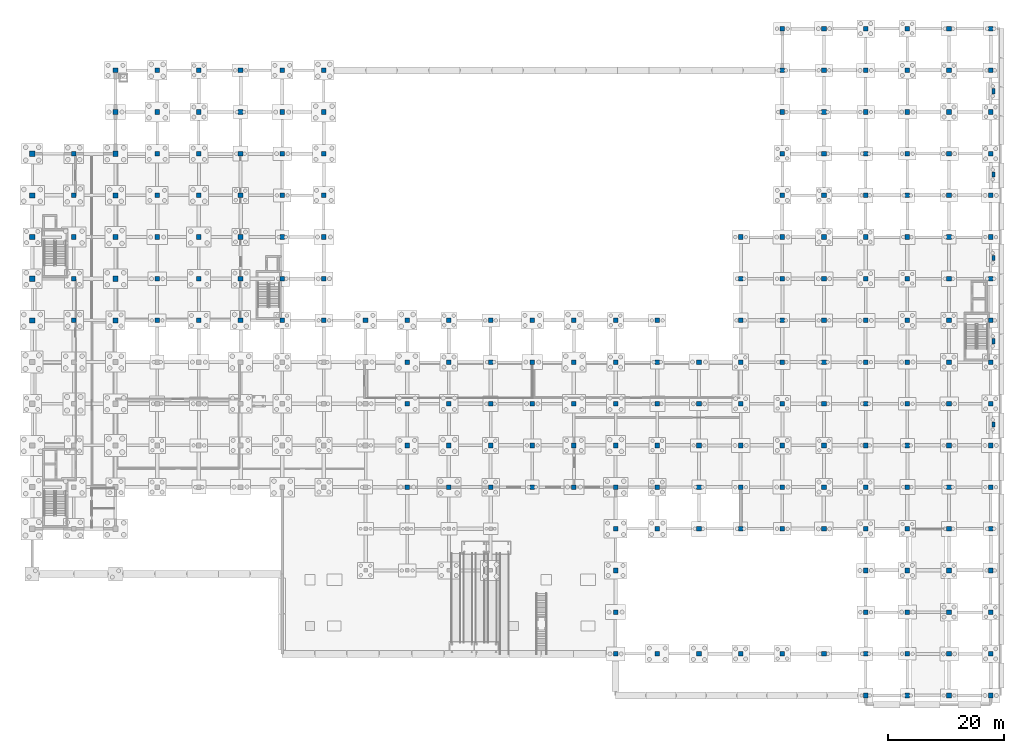
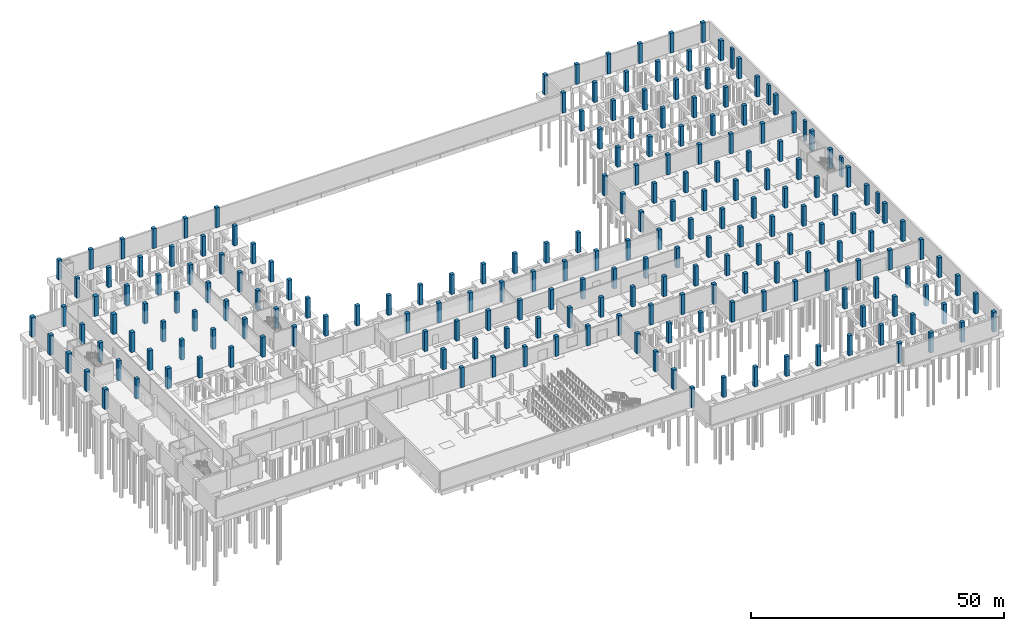
# One storey, part 20 of 38: 210 columns.
"""IFC4 building model written with IfcOpenShell, lengths in metres."""

from ifc_helpers import new_model, si_unit, direction, frame, origin, origin_2d, place, context, subcontext, project, spatial, rectangle, extrude, material, material_profile, profile_set, type_object, element, save


model = new_model("IFC4")

# Units and contexts
model_context = context("Model", 3, precision=1e-05, world=origin(), true_north=direction((0.0, 1.0)))
body_context = subcontext(model_context, "Body", "Model", "MODEL_VIEW")
ifc_project = project(units=[si_unit("LENGTHUNIT", "METRE"), si_unit("AREAUNIT", "SQUARE_METRE"), si_unit("VOLUMEUNIT", "CUBIC_METRE"), si_unit("PLANEANGLEUNIT", "RADIAN"), si_unit("MASSUNIT", "GRAM", prefix="KILO")], contexts=[model_context])

# Site, building, storey
site_placement = place(None, origin())
site = spatial("IfcSite", under=ifc_project, at=site_placement, CompositionType="ELEMENT")
building_placement = place(site_placement, origin())
building = spatial("IfcBuilding", under=site, at=building_placement, Name="Valkovuoma Quantum and Materials Research Institute", CompositionType="ELEMENT")
storey_placement = place(building_placement, frame((0.0, 0.0, -4.800048828125)))
storey = spatial("IfcBuildingStorey", under=building, at=storey_placement, Name="B1", CompositionType="ELEMENT", Elevation=-4.800048828125)

# Columns
ifc_material_1 = material(Name="Concrete C40/50", Category="concrete")
ifc_material_profile_1 = material_profile(ifc_material_1, rectangle(XDim=0.5, YDim=0.89990234375, at=origin_2d()), Name="Concrete C40/50")
ifc_profile_set_1 = profile_set([ifc_material_profile_1], Name="Concrete C40/50")
column_type_1 = type_object("IfcColumnType", Name="Col-C-PIL900", PredefinedType="PILASTER", material=ifc_profile_set_1)
for number, where, z_axis, x_axis, name in (
    (1, (166.080078125, 46.800048828125, 0.0), (0.0, 0.0, 1.0), (1.0, 0.0, 0.0), "B1 service spine pilaster 01"),
    (2, (166.080078125, 61.199951171875, 0.0), (0.0, 0.0, 1.0), (1.0, 0.0, 0.0), "B1 service spine pilaster 02"),
    (3, (166.080078125, 75.60009765625, 0.0), (0.0, 0.0, 1.0), (1.0, 0.0, 0.0), "B1 service spine pilaster 03"),
    (4, (166.080078125, 90.0, 0.0), (0.0, 0.0, 1.0), (1.0, 0.0, 0.0), "B1 service spine pilaster 04"),
    (5, (166.080078125, 104.39990234375, 0.0), (0.0, 0.0, 1.0), (1.0, 0.0, 0.0), "B1 service spine pilaster 05"),
):
    element("IfcColumn", number, at=place(storey_placement, frame(where, z_axis=z_axis, x_axis=x_axis)), inside=storey, type_object=column_type_1, Name=name, PredefinedType="PILASTER", context=body_context, shape_type="SweptSolid", body=[
        extrude(rectangle(XDim=0.5, YDim=0.89990234375, at=origin_2d()), origin(), (0.0, 0.0, 1.0), 4.800048828125),
    ])
ifc_material_2 = material(Name="Concrete C50/60", Category="concrete")
ifc_material_profile_2 = material_profile(ifc_material_2, rectangle(XDim=0.800048828125, YDim=0.800048828125, at=origin_2d()), Name="Concrete C50/60")
ifc_profile_set_2 = profile_set([ifc_material_profile_2], Name="Concrete C50/60")
column_type_2 = type_object("IfcColumnType", Name="Col-C-RC800", PredefinedType="COLUMN", material=ifc_profile_set_2)
for number, where, z_axis, x_axis, name in (
    (6, (7.199951171875, 64.800048828125, 0.0), (0.0, 0.0, 1.0), (1.0, 0.0, 0.0), "B1 column 02K"),
    (7, (7.199951171875, 72.0, 0.0), (0.0, 0.0, 1.0), (1.0, 0.0, 0.0), "B1 column 02L"),
    (8, (7.199951171875, 79.199951171875, 0.0), (0.0, 0.0, 1.0), (1.0, 0.0, 0.0), "B1 column 02M"),
    (9, (7.199951171875, 86.39990234375, 0.0), (0.0, 0.0, 1.0), (1.0, 0.0, 0.0), "B1 column 02N"),
    (10, (7.199951171875, 93.60009765625, 0.0), (0.0, 0.0, 1.0), (1.0, 0.0, 0.0), "B1 column 02P"),
    (11, (14.39990234375, 100.800048828125, 0.0), (0.0, 0.0, 1.0), (1.0, 0.0, 0.0), "B1 column 03Q"),
    (12, (14.39990234375, 108.0, 0.0), (0.0, 0.0, 1.0), (1.0, 0.0, 0.0), "B1 column 03R"),
    (13, (21.60009765625, 64.800048828125, 0.0), (0.0, 0.0, 1.0), (1.0, 0.0, 0.0), "B1 column 04K"),
    (14, (21.60009765625, 72.0, 0.0), (0.0, 0.0, 1.0), (1.0, 0.0, 0.0), "B1 column 04L"),
    (15, (21.60009765625, 79.199951171875, 0.0), (0.0, 0.0, 1.0), (1.0, 0.0, 0.0), "B1 column 04M"),
    (16, (21.60009765625, 86.39990234375, 0.0), (0.0, 0.0, 1.0), (1.0, 0.0, 0.0), "B1 column 04N"),
    (17, (21.60009765625, 93.60009765625, 0.0), (0.0, 0.0, 1.0), (1.0, 0.0, 0.0), "B1 column 04P"),
    (18, (21.60009765625, 100.800048828125, 0.0), (0.0, 0.0, 1.0), (1.0, 0.0, 0.0), "B1 column 04Q"),
    (19, (21.60009765625, 108.0, 0.0), (0.0, 0.0, 1.0), (1.0, 0.0, 0.0), "B1 column 04R"),
    (20, (28.800048828125, 64.800048828125, 0.0), (0.0, 0.0, 1.0), (1.0, 0.0, 0.0), "B1 column 05K"),
    (21, (28.800048828125, 72.0, 0.0), (0.0, 0.0, 1.0), (1.0, 0.0, 0.0), "B1 column 05L"),
    (22, (28.800048828125, 79.199951171875, 0.0), (0.0, 0.0, 1.0), (1.0, 0.0, 0.0), "B1 column 05M"),
    (23, (28.800048828125, 86.39990234375, 0.0), (0.0, 0.0, 1.0), (1.0, 0.0, 0.0), "B1 column 05N"),
    (24, (28.800048828125, 93.60009765625, 0.0), (0.0, 0.0, 1.0), (1.0, 0.0, 0.0), "B1 column 05P"),
    (25, (28.800048828125, 100.800048828125, 0.0), (0.0, 0.0, 1.0), (1.0, 0.0, 0.0), "B1 column 05Q"),
    (26, (28.800048828125, 108.0, 0.0), (0.0, 0.0, 1.0), (1.0, 0.0, 0.0), "B1 column 05R"),
    (27, (36.0, 64.800048828125, 0.0), (0.0, 0.0, 1.0), (1.0, 0.0, 0.0), "B1 column 06K"),
    (28, (36.0, 72.0, 0.0), (0.0, 0.0, 1.0), (1.0, 0.0, 0.0), "B1 column 06L"),
    (29, (36.0, 79.199951171875, 0.0), (0.0, 0.0, 1.0), (1.0, 0.0, 0.0), "B1 column 06M"),
    (30, (36.0, 86.39990234375, 0.0), (0.0, 0.0, 1.0), (1.0, 0.0, 0.0), "B1 column 06N"),
    (31, (36.0, 93.60009765625, 0.0), (0.0, 0.0, 1.0), (1.0, 0.0, 0.0), "B1 column 06P"),
    (32, (36.0, 100.800048828125, 0.0), (0.0, 0.0, 1.0), (1.0, 0.0, 0.0), "B1 column 06Q"),
    (33, (36.0, 108.0, 0.0), (0.0, 0.0, 1.0), (1.0, 0.0, 0.0), "B1 column 06R"),
    (34, (43.199951171875, 64.800048828125, 0.0), (0.0, 0.0, 1.0), (1.0, 0.0, 0.0), "B1 column 07K"),
    (35, (43.199951171875, 72.0, 0.0), (0.0, 0.0, 1.0), (1.0, 0.0, 0.0), "B1 column 07L"),
    (36, (43.199951171875, 79.199951171875, 0.0), (0.0, 0.0, 1.0), (1.0, 0.0, 0.0), "B1 column 07M"),
    (37, (43.199951171875, 86.39990234375, 0.0), (0.0, 0.0, 1.0), (1.0, 0.0, 0.0), "B1 column 07N"),
    (38, (43.199951171875, 93.60009765625, 0.0), (0.0, 0.0, 1.0), (1.0, 0.0, 0.0), "B1 column 07P"),
    (39, (43.199951171875, 100.800048828125, 0.0), (0.0, 0.0, 1.0), (1.0, 0.0, 0.0), "B1 column 07Q"),
    (40, (43.199951171875, 108.0, 0.0), (0.0, 0.0, 1.0), (1.0, 0.0, 0.0), "B1 column 07R"),
    (41, (50.39990234375, 64.800048828125, 0.0), (0.0, 0.0, 1.0), (1.0, 0.0, 0.0), "B1 column 08K"),
    (42, (50.39990234375, 72.0, 0.0), (0.0, 0.0, 1.0), (1.0, 0.0, 0.0), "B1 column 08L"),
    (43, (50.39990234375, 79.199951171875, 0.0), (0.0, 0.0, 1.0), (1.0, 0.0, 0.0), "B1 column 08M"),
    (44, (50.39990234375, 86.39990234375, 0.0), (0.0, 0.0, 1.0), (1.0, 0.0, 0.0), "B1 column 08N"),
    (45, (50.39990234375, 93.60009765625, 0.0), (0.0, 0.0, 1.0), (1.0, 0.0, 0.0), "B1 column 08P"),
    (46, (50.39990234375, 100.800048828125, 0.0), (0.0, 0.0, 1.0), (1.0, 0.0, 0.0), "B1 column 08Q"),
    (47, (50.39990234375, 108.0, 0.0), (0.0, 0.0, 1.0), (1.0, 0.0, 0.0), "B1 column 08R"),
    (48, (57.60009765625, 64.800048828125, 0.0), (0.0, 0.0, 1.0), (1.0, 0.0, 0.0), "B1 column 09K"),
    (49, (64.800048828125, 36.0, 0.0), (0.0, 0.0, 1.0), (1.0, 0.0, 0.0), "B1 column 10F"),
    (50, (64.800048828125, 43.199951171875, 0.0), (0.0, 0.0, 1.0), (1.0, 0.0, 0.0), "B1 column 10G"),
    (51, (64.800048828125, 50.39990234375, 0.0), (0.0, 0.0, 1.0), (1.0, 0.0, 0.0), "B1 column 10H"),
    (52, (64.800048828125, 57.60009765625, 0.0), (0.0, 0.0, 1.0), (1.0, 0.0, 0.0), "B1 column 10J"),
    (53, (64.800048828125, 64.800048828125, 0.0), (0.0, 0.0, 1.0), (1.0, 0.0, 0.0), "B1 column 10K"),
    (54, (72.0, 36.0, 0.0), (0.0, 0.0, 1.0), (1.0, 0.0, 0.0), "B1 column 11F"),
    (55, (72.0, 43.199951171875, 0.0), (0.0, 0.0, 1.0), (1.0, 0.0, 0.0), "B1 column 11G"),
    (56, (72.0, 50.39990234375, 0.0), (0.0, 0.0, 1.0), (1.0, 0.0, 0.0), "B1 column 11H"),
    (57, (72.0, 57.60009765625, 0.0), (0.0, 0.0, 1.0), (1.0, 0.0, 0.0), "B1 column 11J"),
    (58, (72.0, 64.800048828125, 0.0), (0.0, 0.0, 1.0), (1.0, 0.0, 0.0), "B1 column 11K"),
    (59, (79.199951171875, 36.0, 0.0), (0.0, 0.0, 1.0), (1.0, 0.0, 0.0), "B1 column 12F"),
    (60, (79.199951171875, 43.199951171875, 0.0), (0.0, 0.0, 1.0), (1.0, 0.0, 0.0), "B1 column 12G"),
    (61, (79.199951171875, 50.39990234375, 0.0), (0.0, 0.0, 1.0), (1.0, 0.0, 0.0), "B1 column 12H"),
    (62, (79.199951171875, 57.60009765625, 0.0), (0.0, 0.0, 1.0), (1.0, 0.0, 0.0), "B1 column 12J"),
    (63, (79.199951171875, 64.800048828125, 0.0), (0.0, 0.0, 1.0), (1.0, 0.0, 0.0), "B1 column 12K"),
    (64, (86.39990234375, 36.0, 0.0), (0.0, 0.0, 1.0), (1.0, 0.0, 0.0), "B1 column 13F"),
    (65, (86.39990234375, 43.199951171875, 0.0), (0.0, 0.0, 1.0), (1.0, 0.0, 0.0), "B1 column 13G"),
    (66, (86.39990234375, 50.39990234375, 0.0), (0.0, 0.0, 1.0), (1.0, 0.0, 0.0), "B1 column 13H"),
    (67, (86.39990234375, 57.60009765625, 0.0), (0.0, 0.0, 1.0), (1.0, 0.0, 0.0), "B1 column 13J"),
    (68, (86.39990234375, 64.800048828125, 0.0), (0.0, 0.0, 1.0), (1.0, 0.0, 0.0), "B1 column 13K"),
    (69, (93.60009765625, 36.0, 0.0), (0.0, 0.0, 1.0), (1.0, 0.0, 0.0), "B1 column 14F"),
    (70, (93.60009765625, 43.199951171875, 0.0), (0.0, 0.0, 1.0), (1.0, 0.0, 0.0), "B1 column 14G"),
    (71, (93.60009765625, 50.39990234375, 0.0), (0.0, 0.0, 1.0), (1.0, 0.0, 0.0), "B1 column 14H"),
    (72, (93.60009765625, 57.60009765625, 0.0), (0.0, 0.0, 1.0), (1.0, 0.0, 0.0), "B1 column 14J"),
    (73, (93.60009765625, 64.800048828125, 0.0), (0.0, 0.0, 1.0), (1.0, 0.0, 0.0), "B1 column 14K"),
    (74, (100.800048828125, 7.199951171875, 0.0), (0.0, 0.0, 1.0), (1.0, 0.0, 0.0), "B1 column 15B"),
    (75, (100.800048828125, 14.39990234375, 0.0), (0.0, 0.0, 1.0), (1.0, 0.0, 0.0), "B1 column 15C"),
    (76, (100.800048828125, 21.60009765625, 0.0), (0.0, 0.0, 1.0), (1.0, 0.0, 0.0), "B1 column 15D"),
    (77, (100.800048828125, 28.800048828125, 0.0), (0.0, 0.0, 1.0), (1.0, 0.0, 0.0), "B1 column 15E"),
    (78, (100.800048828125, 36.0, 0.0), (0.0, 0.0, 1.0), (1.0, 0.0, 0.0), "B1 column 15F"),
    (79, (100.800048828125, 43.199951171875, 0.0), (0.0, 0.0, 1.0), (1.0, 0.0, 0.0), "B1 column 15G"),
    (80, (100.800048828125, 50.39990234375, 0.0), (0.0, 0.0, 1.0), (1.0, 0.0, 0.0), "B1 column 15H"),
    (81, (100.800048828125, 57.60009765625, 0.0), (0.0, 0.0, 1.0), (1.0, 0.0, 0.0), "B1 column 15J"),
    (82, (100.800048828125, 64.800048828125, 0.0), (0.0, 0.0, 1.0), (1.0, 0.0, 0.0), "B1 column 15K"),
    (83, (108.0, 7.199951171875, 0.0), (0.0, 0.0, 1.0), (1.0, 0.0, 0.0), "B1 column 16B"),
    (84, (108.0, 28.800048828125, 0.0), (0.0, 0.0, 1.0), (1.0, 0.0, 0.0), "B1 column 16E"),
    (85, (108.0, 36.0, 0.0), (0.0, 0.0, 1.0), (1.0, 0.0, 0.0), "B1 column 16F"),
    (86, (108.0, 43.199951171875, 0.0), (0.0, 0.0, 1.0), (1.0, 0.0, 0.0), "B1 column 16G"),
    (87, (108.0, 50.39990234375, 0.0), (0.0, 0.0, 1.0), (1.0, 0.0, 0.0), "B1 column 16H"),
    (88, (108.0, 57.60009765625, 0.0), (0.0, 0.0, 1.0), (1.0, 0.0, 0.0), "B1 column 16J"),
    (89, (108.0, 64.800048828125, 0.0), (0.0, 0.0, 1.0), (1.0, 0.0, 0.0), "B1 column 16K"),
    (90, (115.199951171875, 7.199951171875, 0.0), (0.0, 0.0, 1.0), (1.0, 0.0, 0.0), "B1 column 17B"),
    (91, (115.199951171875, 28.800048828125, 0.0), (0.0, 0.0, 1.0), (1.0, 0.0, 0.0), "B1 column 17E"),
    (92, (115.199951171875, 36.0, 0.0), (0.0, 0.0, 1.0), (1.0, 0.0, 0.0), "B1 column 17F"),
    (93, (115.199951171875, 43.199951171875, 0.0), (0.0, 0.0, 1.0), (1.0, 0.0, 0.0), "B1 column 17G"),
    (94, (115.199951171875, 50.39990234375, 0.0), (0.0, 0.0, 1.0), (1.0, 0.0, 0.0), "B1 column 17H"),
    (95, (115.199951171875, 57.60009765625, 0.0), (0.0, 0.0, 1.0), (1.0, 0.0, 0.0), "B1 column 17J"),
    (96, (122.39990234375, 7.199951171875, 0.0), (0.0, 0.0, 1.0), (1.0, 0.0, 0.0), "B1 column 18B"),
    (97, (122.39990234375, 28.800048828125, 0.0), (0.0, 0.0, 1.0), (1.0, 0.0, 0.0), "B1 column 18E"),
    (98, (122.39990234375, 36.0, 0.0), (0.0, 0.0, 1.0), (1.0, 0.0, 0.0), "B1 column 18F"),
    (99, (122.39990234375, 43.199951171875, 0.0), (0.0, 0.0, 1.0), (1.0, 0.0, 0.0), "B1 column 18G"),
    (100, (122.39990234375, 50.39990234375, 0.0), (0.0, 0.0, 1.0), (1.0, 0.0, 0.0), "B1 column 18H"),
    (101, (122.39990234375, 57.60009765625, 0.0), (0.0, 0.0, 1.0), (1.0, 0.0, 0.0), "B1 column 18J"),
    (102, (122.39990234375, 64.800048828125, 0.0), (0.0, 0.0, 1.0), (1.0, 0.0, 0.0), "B1 column 18K"),
    (103, (122.39990234375, 72.0, 0.0), (0.0, 0.0, 1.0), (1.0, 0.0, 0.0), "B1 column 18L"),
    (104, (122.39990234375, 79.199951171875, 0.0), (0.0, 0.0, 1.0), (1.0, 0.0, 0.0), "B1 column 18M"),
    (105, (129.60009765625, 7.199951171875, 0.0), (0.0, 0.0, 1.0), (1.0, 0.0, 0.0), "B1 column 19B"),
    (106, (129.60009765625, 28.800048828125, 0.0), (0.0, 0.0, 1.0), (1.0, 0.0, 0.0), "B1 column 19E"),
    (107, (129.60009765625, 36.0, 0.0), (0.0, 0.0, 1.0), (1.0, 0.0, 0.0), "B1 column 19F"),
    (108, (129.60009765625, 43.199951171875, 0.0), (0.0, 0.0, 1.0), (1.0, 0.0, 0.0), "B1 column 19G"),
    (109, (129.60009765625, 50.39990234375, 0.0), (0.0, 0.0, 1.0), (1.0, 0.0, 0.0), "B1 column 19H"),
    (110, (129.60009765625, 57.60009765625, 0.0), (0.0, 0.0, 1.0), (1.0, 0.0, 0.0), "B1 column 19J"),
    (111, (129.60009765625, 64.800048828125, 0.0), (0.0, 0.0, 1.0), (1.0, 0.0, 0.0), "B1 column 19K"),
    (112, (129.60009765625, 72.0, 0.0), (0.0, 0.0, 1.0), (1.0, 0.0, 0.0), "B1 column 19L"),
    (113, (129.60009765625, 79.199951171875, 0.0), (0.0, 0.0, 1.0), (1.0, 0.0, 0.0), "B1 column 19M"),
    (114, (129.60009765625, 86.39990234375, 0.0), (0.0, 0.0, 1.0), (1.0, 0.0, 0.0), "B1 column 19N"),
    (115, (129.60009765625, 93.60009765625, 0.0), (0.0, 0.0, 1.0), (1.0, 0.0, 0.0), "B1 column 19P"),
    (116, (129.60009765625, 100.800048828125, 0.0), (0.0, 0.0, 1.0), (1.0, 0.0, 0.0), "B1 column 19Q"),
    (117, (129.60009765625, 108.0, 0.0), (0.0, 0.0, 1.0), (1.0, 0.0, 0.0), "B1 column 19R"),
    (118, (129.60009765625, 115.199951171875, 0.0), (0.0, 0.0, 1.0), (1.0, 0.0, 0.0), "B1 column 19S"),
    (119, (136.800048828125, 7.199951171875, 0.0), (0.0, 0.0, 1.0), (1.0, 0.0, 0.0), "B1 column 20B"),
    (120, (136.800048828125, 28.800048828125, 0.0), (0.0, 0.0, 1.0), (1.0, 0.0, 0.0), "B1 column 20E"),
    (121, (136.800048828125, 36.0, 0.0), (0.0, 0.0, 1.0), (1.0, 0.0, 0.0), "B1 column 20F"),
    (122, (136.800048828125, 43.199951171875, 0.0), (0.0, 0.0, 1.0), (1.0, 0.0, 0.0), "B1 column 20G"),
    (123, (136.800048828125, 50.39990234375, 0.0), (0.0, 0.0, 1.0), (1.0, 0.0, 0.0), "B1 column 20H"),
    (124, (136.800048828125, 57.60009765625, 0.0), (0.0, 0.0, 1.0), (1.0, 0.0, 0.0), "B1 column 20J"),
    (125, (136.800048828125, 64.800048828125, 0.0), (0.0, 0.0, 1.0), (1.0, 0.0, 0.0), "B1 column 20K"),
    (126, (136.800048828125, 72.0, 0.0), (0.0, 0.0, 1.0), (1.0, 0.0, 0.0), "B1 column 20L"),
    (127, (136.800048828125, 79.199951171875, 0.0), (0.0, 0.0, 1.0), (1.0, 0.0, 0.0), "B1 column 20M"),
    (128, (136.800048828125, 86.39990234375, 0.0), (0.0, 0.0, 1.0), (1.0, 0.0, 0.0), "B1 column 20N"),
    (129, (136.800048828125, 93.60009765625, 0.0), (0.0, 0.0, 1.0), (1.0, 0.0, 0.0), "B1 column 20P"),
    (130, (136.800048828125, 100.800048828125, 0.0), (0.0, 0.0, 1.0), (1.0, 0.0, 0.0), "B1 column 20Q"),
    (131, (136.800048828125, 108.0, 0.0), (0.0, 0.0, 1.0), (1.0, 0.0, 0.0), "B1 column 20R"),
    (132, (136.800048828125, 115.199951171875, 0.0), (0.0, 0.0, 1.0), (1.0, 0.0, 0.0), "B1 column 20S"),
    (133, (144.0, 0.0, 0.0), (0.0, 0.0, 1.0), (1.0, 0.0, 0.0), "B1 column 21A"),
    (134, (144.0, 7.199951171875, 0.0), (0.0, 0.0, 1.0), (1.0, 0.0, 0.0), "B1 column 21B"),
    (135, (144.0, 14.39990234375, 0.0), (0.0, 0.0, 1.0), (1.0, 0.0, 0.0), "B1 column 21C"),
    (136, (144.0, 21.60009765625, 0.0), (0.0, 0.0, 1.0), (1.0, 0.0, 0.0), "B1 column 21D"),
    (137, (144.0, 28.800048828125, 0.0), (0.0, 0.0, 1.0), (1.0, 0.0, 0.0), "B1 column 21E"),
    (138, (144.0, 36.0, 0.0), (0.0, 0.0, 1.0), (1.0, 0.0, 0.0), "B1 column 21F"),
    (139, (144.0, 43.199951171875, 0.0), (0.0, 0.0, 1.0), (1.0, 0.0, 0.0), "B1 column 21G"),
    (140, (144.0, 50.39990234375, 0.0), (0.0, 0.0, 1.0), (1.0, 0.0, 0.0), "B1 column 21H"),
    (141, (144.0, 57.60009765625, 0.0), (0.0, 0.0, 1.0), (1.0, 0.0, 0.0), "B1 column 21J"),
    (142, (144.0, 64.800048828125, 0.0), (0.0, 0.0, 1.0), (1.0, 0.0, 0.0), "B1 column 21K"),
    (143, (144.0, 72.0, 0.0), (0.0, 0.0, 1.0), (1.0, 0.0, 0.0), "B1 column 21L"),
    (144, (144.0, 79.199951171875, 0.0), (0.0, 0.0, 1.0), (1.0, 0.0, 0.0), "B1 column 21M"),
    (145, (144.0, 86.39990234375, 0.0), (0.0, 0.0, 1.0), (1.0, 0.0, 0.0), "B1 column 21N"),
    (146, (144.0, 93.60009765625, 0.0), (0.0, 0.0, 1.0), (1.0, 0.0, 0.0), "B1 column 21P"),
    (147, (144.0, 100.800048828125, 0.0), (0.0, 0.0, 1.0), (1.0, 0.0, 0.0), "B1 column 21Q"),
    (148, (144.0, 108.0, 0.0), (0.0, 0.0, 1.0), (1.0, 0.0, 0.0), "B1 column 21R"),
    (149, (144.0, 115.199951171875, 0.0), (0.0, 0.0, 1.0), (1.0, 0.0, 0.0), "B1 column 21S"),
    (150, (151.199951171875, 0.0, 0.0), (0.0, 0.0, 1.0), (1.0, 0.0, 0.0), "B1 column 22A"),
    (151, (151.199951171875, 7.199951171875, 0.0), (0.0, 0.0, 1.0), (1.0, 0.0, 0.0), "B1 column 22B"),
    (152, (151.199951171875, 14.39990234375, 0.0), (0.0, 0.0, 1.0), (1.0, 0.0, 0.0), "B1 column 22C"),
    (153, (151.199951171875, 21.60009765625, 0.0), (0.0, 0.0, 1.0), (1.0, 0.0, 0.0), "B1 column 22D"),
    (154, (151.199951171875, 28.800048828125, 0.0), (0.0, 0.0, 1.0), (1.0, 0.0, 0.0), "B1 column 22E"),
    (155, (151.199951171875, 36.0, 0.0), (0.0, 0.0, 1.0), (1.0, 0.0, 0.0), "B1 column 22F"),
    (156, (151.199951171875, 43.199951171875, 0.0), (0.0, 0.0, 1.0), (1.0, 0.0, 0.0), "B1 column 22G"),
    (157, (151.199951171875, 50.39990234375, 0.0), (0.0, 0.0, 1.0), (1.0, 0.0, 0.0), "B1 column 22H"),
    (158, (151.199951171875, 57.60009765625, 0.0), (0.0, 0.0, 1.0), (1.0, 0.0, 0.0), "B1 column 22J"),
    (159, (151.199951171875, 64.800048828125, 0.0), (0.0, 0.0, 1.0), (1.0, 0.0, 0.0), "B1 column 22K"),
    (160, (151.199951171875, 72.0, 0.0), (0.0, 0.0, 1.0), (1.0, 0.0, 0.0), "B1 column 22L"),
    (161, (151.199951171875, 79.199951171875, 0.0), (0.0, 0.0, 1.0), (1.0, 0.0, 0.0), "B1 column 22M"),
    (162, (151.199951171875, 86.39990234375, 0.0), (0.0, 0.0, 1.0), (1.0, 0.0, 0.0), "B1 column 22N"),
    (163, (151.199951171875, 93.60009765625, 0.0), (0.0, 0.0, 1.0), (1.0, 0.0, 0.0), "B1 column 22P"),
    (164, (151.199951171875, 100.800048828125, 0.0), (0.0, 0.0, 1.0), (1.0, 0.0, 0.0), "B1 column 22Q"),
    (165, (151.199951171875, 108.0, 0.0), (0.0, 0.0, 1.0), (1.0, 0.0, 0.0), "B1 column 22R"),
    (166, (151.199951171875, 115.199951171875, 0.0), (0.0, 0.0, 1.0), (1.0, 0.0, 0.0), "B1 column 22S"),
    (167, (158.39990234375, 0.0, 0.0), (0.0, 0.0, 1.0), (1.0, 0.0, 0.0), "B1 column 23A"),
    (168, (158.39990234375, 7.199951171875, 0.0), (0.0, 0.0, 1.0), (1.0, 0.0, 0.0), "B1 column 23B"),
    (169, (158.39990234375, 14.39990234375, 0.0), (0.0, 0.0, 1.0), (1.0, 0.0, 0.0), "B1 column 23C"),
    (170, (158.39990234375, 21.60009765625, 0.0), (0.0, 0.0, 1.0), (1.0, 0.0, 0.0), "B1 column 23D"),
    (171, (158.39990234375, 28.800048828125, 0.0), (0.0, 0.0, 1.0), (1.0, 0.0, 0.0), "B1 column 23E"),
    (172, (158.39990234375, 36.0, 0.0), (0.0, 0.0, 1.0), (1.0, 0.0, 0.0), "B1 column 23F"),
    (173, (158.39990234375, 43.199951171875, 0.0), (0.0, 0.0, 1.0), (1.0, 0.0, 0.0), "B1 column 23G"),
    (174, (158.39990234375, 50.39990234375, 0.0), (0.0, 0.0, 1.0), (1.0, 0.0, 0.0), "B1 column 23H"),
    (175, (158.39990234375, 57.60009765625, 0.0), (0.0, 0.0, 1.0), (1.0, 0.0, 0.0), "B1 column 23J"),
    (176, (158.39990234375, 64.800048828125, 0.0), (0.0, 0.0, 1.0), (1.0, 0.0, 0.0), "B1 column 23K"),
    (177, (158.39990234375, 72.0, 0.0), (0.0, 0.0, 1.0), (1.0, 0.0, 0.0), "B1 column 23L"),
    (178, (158.39990234375, 79.199951171875, 0.0), (0.0, 0.0, 1.0), (1.0, 0.0, 0.0), "B1 column 23M"),
    (179, (158.39990234375, 86.39990234375, 0.0), (0.0, 0.0, 1.0), (1.0, 0.0, 0.0), "B1 column 23N"),
    (180, (158.39990234375, 93.60009765625, 0.0), (0.0, 0.0, 1.0), (1.0, 0.0, 0.0), "B1 column 23P"),
    (181, (158.39990234375, 100.800048828125, 0.0), (0.0, 0.0, 1.0), (1.0, 0.0, 0.0), "B1 column 23Q"),
    (182, (158.39990234375, 108.0, 0.0), (0.0, 0.0, 1.0), (1.0, 0.0, 0.0), "B1 column 23R"),
    (183, (158.39990234375, 115.199951171875, 0.0), (0.0, 0.0, 1.0), (1.0, 0.0, 0.0), "B1 column 23S"),
    (184, (165.60009765625, 0.0, 0.0), (0.0, 0.0, 1.0), (1.0, 0.0, 0.0), "B1 column 24A"),
    (185, (165.60009765625, 7.199951171875, 0.0), (0.0, 0.0, 1.0), (1.0, 0.0, 0.0), "B1 column 24B"),
    (186, (165.60009765625, 14.39990234375, 0.0), (0.0, 0.0, 1.0), (1.0, 0.0, 0.0), "B1 column 24C"),
    (187, (165.60009765625, 21.60009765625, 0.0), (0.0, 0.0, 1.0), (1.0, 0.0, 0.0), "B1 column 24D"),
    (188, (165.60009765625, 28.800048828125, 0.0), (0.0, 0.0, 1.0), (1.0, 0.0, 0.0), "B1 column 24E"),
    (189, (165.60009765625, 36.0, 0.0), (0.0, 0.0, 1.0), (1.0, 0.0, 0.0), "B1 column 24F"),
    (190, (165.60009765625, 43.199951171875, 0.0), (0.0, 0.0, 1.0), (1.0, 0.0, 0.0), "B1 column 24G"),
    (191, (165.60009765625, 50.39990234375, 0.0), (0.0, 0.0, 1.0), (1.0, 0.0, 0.0), "B1 column 24H"),
    (192, (165.60009765625, 57.60009765625, 0.0), (0.0, 0.0, 1.0), (1.0, 0.0, 0.0), "B1 column 24J"),
    (193, (165.60009765625, 64.800048828125, 0.0), (0.0, 0.0, 1.0), (1.0, 0.0, 0.0), "B1 column 24K"),
    (194, (165.60009765625, 72.0, 0.0), (0.0, 0.0, 1.0), (1.0, 0.0, 0.0), "B1 column 24L"),
    (195, (165.60009765625, 79.199951171875, 0.0), (0.0, 0.0, 1.0), (1.0, 0.0, 0.0), "B1 column 24M"),
    (196, (165.60009765625, 86.39990234375, 0.0), (0.0, 0.0, 1.0), (1.0, 0.0, 0.0), "B1 column 24N"),
    (197, (165.60009765625, 93.60009765625, 0.0), (0.0, 0.0, 1.0), (1.0, 0.0, 0.0), "B1 column 24P"),
    (198, (165.60009765625, 100.800048828125, 0.0), (0.0, 0.0, 1.0), (1.0, 0.0, 0.0), "B1 column 24Q"),
    (199, (165.60009765625, 108.0, 0.0), (0.0, 0.0, 1.0), (1.0, 0.0, 0.0), "B1 column 24R"),
    (200, (165.60009765625, 115.199951171875, 0.0), (0.0, 0.0, 1.0), (1.0, 0.0, 0.0), "B1 column 24S"),
):
    element("IfcColumn", number, at=place(storey_placement, frame(where, z_axis=z_axis, x_axis=x_axis)), inside=storey, type_object=column_type_2, Name=name, PredefinedType="COLUMN", context=body_context, shape_type="SweptSolid", body=[
        extrude(rectangle(XDim=0.800048828125, YDim=0.800048828125, at=origin_2d()), origin(), (0.0, 0.0, 1.0), 4.800048828125),
    ])
ifc_material_3 = material(Name="Concrete C50/60", Category="concrete")
ifc_material_profile_3 = material_profile(ifc_material_3, rectangle(XDim=0.89990234375, YDim=0.89990234375, at=origin_2d()), Name="Concrete C50/60")
ifc_profile_set_3 = profile_set([ifc_material_profile_3], Name="Concrete C50/60")
column_type_3 = type_object("IfcColumnType", Name="Col-C-RC900", PredefinedType="COLUMN", material=ifc_profile_set_3)
for number, where, z_axis, x_axis, name in (
    (201, (0.0, 64.800048828125, 0.0), (0.0, 0.0, 1.0), (1.0, 0.0, 0.0), "B1 column 01K"),
    (202, (0.0, 72.0, 0.0), (0.0, 0.0, 1.0), (1.0, 0.0, 0.0), "B1 column 01L"),
    (203, (0.0, 79.199951171875, 0.0), (0.0, 0.0, 1.0), (1.0, 0.0, 0.0), "B1 column 01M"),
    (204, (0.0, 86.39990234375, 0.0), (0.0, 0.0, 1.0), (1.0, 0.0, 0.0), "B1 column 01N"),
    (205, (0.0, 93.60009765625, 0.0), (0.0, 0.0, 1.0), (1.0, 0.0, 0.0), "B1 column 01P"),
    (206, (14.39990234375, 64.800048828125, 0.0), (0.0, 0.0, 1.0), (1.0, 0.0, 0.0), "B1 column 03K"),
    (207, (14.39990234375, 72.0, 0.0), (0.0, 0.0, 1.0), (1.0, 0.0, 0.0), "B1 column 03L"),
    (208, (14.39990234375, 79.199951171875, 0.0), (0.0, 0.0, 1.0), (1.0, 0.0, 0.0), "B1 column 03M"),
    (209, (14.39990234375, 86.39990234375, 0.0), (0.0, 0.0, 1.0), (1.0, 0.0, 0.0), "B1 column 03N"),
    (210, (14.39990234375, 93.60009765625, 0.0), (0.0, 0.0, 1.0), (1.0, 0.0, 0.0), "B1 column 03P"),
):
    element("IfcColumn", number, at=place(storey_placement, frame(where, z_axis=z_axis, x_axis=x_axis)), inside=storey, type_object=column_type_3, Name=name, PredefinedType="COLUMN", context=body_context, shape_type="SweptSolid", body=[
        extrude(rectangle(XDim=0.89990234375, YDim=0.89990234375, at=origin_2d()), origin(), (0.0, 0.0, 1.0), 4.800048828125),
    ])

save(model, "model.ifc")
